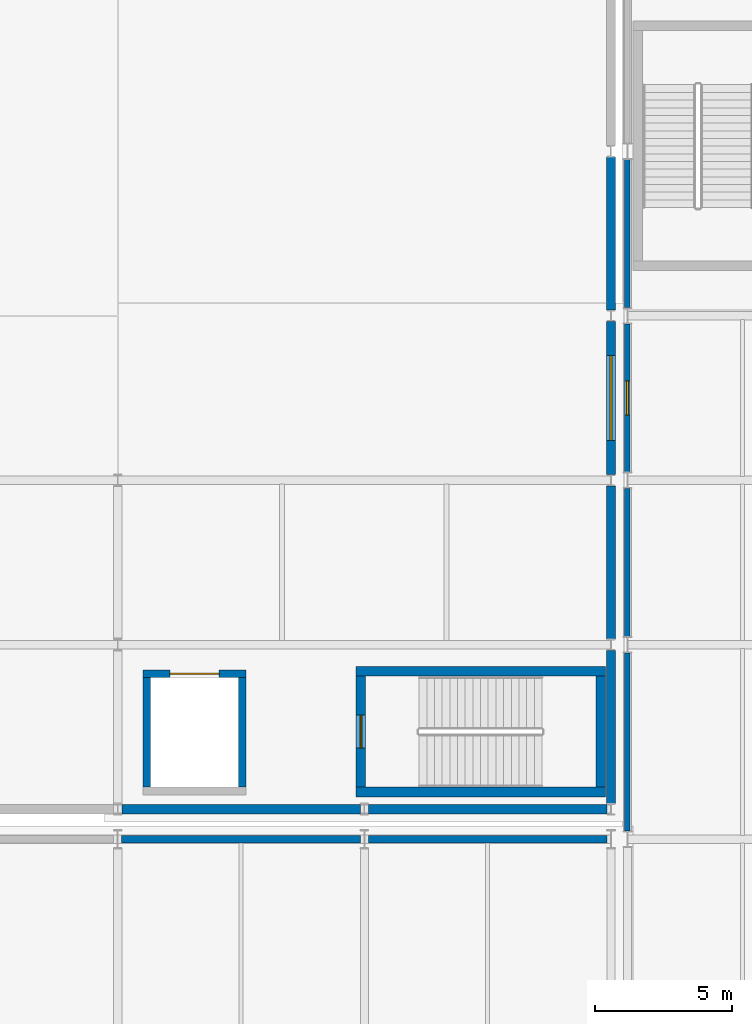
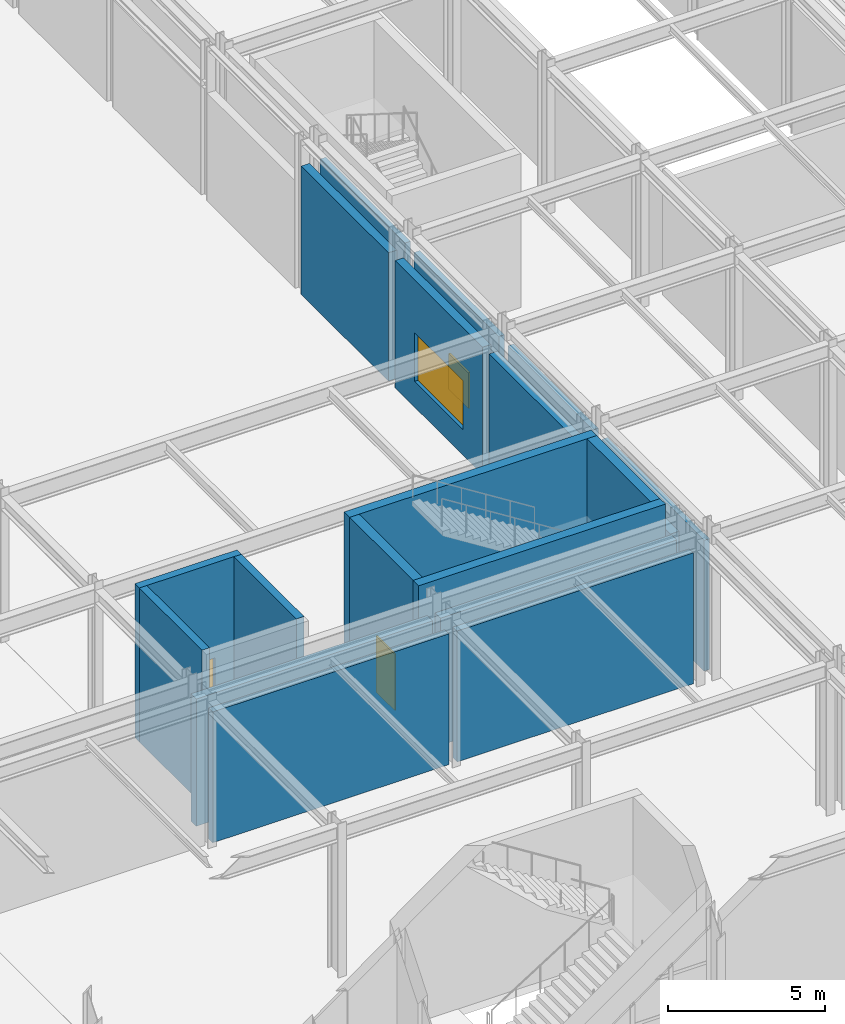
# One storey, part 121 of 146: 19 walls, 2 doors, 2 windows, 4 openings.
"""IFC4 building model written with IfcOpenShell, lengths in metres."""

from ifc_helpers import new_model, si_unit, direction, frame, frame_2d, origin, place, context, subcontext, project, spatial, rectangle, extrude, material, layer, layer_set, type_object, element, fill, save


model = new_model("IFC4")

# Units and contexts
model_context = context("Model", 3, precision=1e-05, world=origin(), true_north=direction((0.0, 1.0)))
body_context = subcontext(model_context, "Body", "Model", "MODEL_VIEW")
ifc_project = project(units=[si_unit("LENGTHUNIT", "METRE"), si_unit("AREAUNIT", "SQUARE_METRE"), si_unit("VOLUMEUNIT", "CUBIC_METRE"), si_unit("PLANEANGLEUNIT", "RADIAN"), si_unit("MASSUNIT", "GRAM", prefix="KILO")], contexts=[model_context])

# Site, building, storey
site_placement = place(None, origin())
site = spatial("IfcSite", under=ifc_project, at=site_placement, CompositionType="ELEMENT")
building_placement = place(site_placement, origin())
building = spatial("IfcBuilding", under=site, at=building_placement, Name="Kaldris Quays Convention Centre", CompositionType="ELEMENT")
storey_placement = place(building_placement, origin())
storey = spatial("IfcBuildingStorey", under=building, at=storey_placement, Name="L00", CompositionType="ELEMENT", Elevation=0.0)

# Walls
ifc_material_1 = material(Name="Concrete C35/45", Category="concrete")
ifc_layer_1 = layer(ifc_material_1, 0.344970703125)
ifc_layer_set_1 = layer_set([ifc_layer_1], Name="Concrete C35/45")
wall_type_1 = type_object("IfcWallType", Name="EXTERIOR WALL EW01", PredefinedType="STANDARD", material=ifc_layer_set_1)
for number, where, z_axis, x_axis, name in (
    (1, (128.1494140625, 56.0, 0.0), (0.0, 0.0, 1.0), (1.0, 0.0, 0.0), "L00 Exterior Wall EW01 37"),
    (2, (137.1494140625, 56.0, 0.0), (0.0, 0.0, 1.0), (1.0, 0.0, 0.0), "L00 Exterior Wall EW01 40"),
):
    element("IfcWall", number, at=place(storey_placement, frame(where, z_axis=z_axis, x_axis=x_axis)), inside=storey, type_object=wall_type_1, Name=name, PredefinedType="STANDARD", context=body_context, shape_type="SweptSolid", body=[
        extrude(rectangle(XDim=8.701171875, YDim=0.344970703125, at=frame_2d((4.3505859375, 0.0))), origin(), (0.0, 0.0, 1.0), 4.9580078125),
    ])
ifc_layer_2 = layer(ifc_material_1, 0.31201171875)
ifc_layer_set_2 = layer_set([ifc_layer_2], Name="Concrete C35/45")
wall_type_2 = type_object("IfcWallType", Name="EXTERIOR WALL EW02", PredefinedType="STANDARD", material=ifc_layer_set_2)
for number, where, z_axis, x_axis, name in (
    (3, (146.0, 56.2119140625, 0.0), (0.0, 0.0, 1.0), (0.0, 1.0, 0.0), "L00 Exterior Wall EW02 44"),
    (4, (146.0, 62.2119140625, 0.0), (0.0, 0.0, 1.0), (0.0, 1.0, 0.0), "L00 Exterior Wall EW02 48"),
):
    element("IfcWall", number, at=place(storey_placement, frame(where, z_axis=z_axis, x_axis=x_axis)), inside=storey, type_object=wall_type_2, Name=name, PredefinedType="STANDARD", context=body_context, shape_type="SweptSolid", body=[
        extrude(rectangle(XDim=5.576171875, YDim=0.31201171875, at=frame_2d((2.7880859375, 0.0))), origin(), (0.0, 0.0, 1.0), 4.9580078125),
    ])

# Wall, opening, window
wall_1_placement = place(storey_placement, frame((146.0, 68.2119140625, 0.0), z_axis=(0.0, 0.0, 1.0), x_axis=(0.0, 1.0, 0.0)))
wall_1 = element("IfcWall", 5, at=wall_1_placement, inside=storey, type_object=wall_type_2, Name="L00 Exterior Wall EW02 51", PredefinedType="STANDARD", context=body_context, shape_type="SweptSolid", body=[
    extrude(rectangle(XDim=5.576171875, YDim=0.31201171875, at=frame_2d((2.7880859375, 0.0))), origin(), (0.0, 0.0, 1.0), 4.9580078125),
])
opening_1_placement = place(wall_1_placement, frame((1.238037109375, 0.0, 1.0)))
opening_1 = element("IfcOpeningElement", 6, at=opening_1_placement, cuts=wall_1, Name="Opening WN33", PredefinedType="OPENING", context=body_context, shape_type="SweptSolid", body=[
    extrude(rectangle(XDim=3.10009765625, YDim=1.89990234375, at=frame_2d((1.550048828125, 0.949951171875))), frame((0.0, 0.166015625, 0.0), z_axis=(0.0, -1.0, 0.0), x_axis=(1.0, 0.0, 0.0)), (0.0, 0.0, 1.0), 0.33203125),
])
ifc_material_2 = material(Name="Triple low-E insulated glazing", Category="glass")
window_type_1 = type_object("IfcWindowType", Name="TRIPLE GLAZED WINDOW WN33", PartitioningType="SINGLE_PANEL", PredefinedType="WINDOW", material=ifc_material_2)
window_1_placement = place(opening_1_placement, origin())
window_1 = element("IfcWindow", 7, at=window_1_placement, inside=storey, type_object=window_type_1, Name="L00 Exterior Window WN33 16", OverallHeight=1.89990234375, OverallWidth=3.10009765625, PartitioningType="SINGLE_PANEL", PredefinedType="WINDOW", context=body_context, shape_type="SweptSolid", body=[
    extrude(rectangle(XDim=3.10009765625, YDim=1.89990234375, at=frame_2d((1.550048828125, 0.949951171875))), frame((0.0, 0.030029296875, 0.0), z_axis=(0.0, -1.0, 0.0), x_axis=(1.0, 0.0, 0.0)), (0.0, 0.0, 1.0), 0.06005859375),
])
fill(opening_1, window_1)

# Walls
wall_2_placement = place(storey_placement, frame((146.0, 74.2119140625, 0.0), z_axis=(0.0, 0.0, 1.0), x_axis=(0.0, 1.0, 0.0)))
element("IfcWall", 8, at=wall_2_placement, inside=storey, type_object=wall_type_2, Name="L00 Exterior Wall EW02 55", PredefinedType="STANDARD", context=body_context, shape_type="SweptSolid", body=[
    extrude(rectangle(XDim=5.576171875, YDim=0.31201171875, at=frame_2d((2.7880859375, 0.0))), origin(), (0.0, 0.0, 1.0), 5.0),
])
ifc_material_3 = material(Name="Precast concrete C40/50", Category="concrete")
ifc_layer_3 = layer(ifc_material_3, 0.263916015625)
ifc_layer_set_3 = layer_set([ifc_layer_3], Name="Precast concrete C40/50")
wall_type_3 = type_object("IfcWallType", Name="EXTERIOR WALL EW04", PredefinedType="STANDARD", material=ifc_layer_set_3)
for number, where, z_axis, x_axis, name in (
    (9, (128.14599609375, 54.89990234375, 0.0), (0.0, 0.0, 1.0), (1.0, 0.0, 0.0), "L00 Exterior Wall EW04 235"),
    (10, (137.14599609375, 54.89990234375, 0.0), (0.0, 0.0, 1.0), (1.0, 0.0, 0.0), "L00 Exterior Wall EW04 237"),
):
    element("IfcWall", number, at=place(storey_placement, frame(where, z_axis=z_axis, x_axis=x_axis)), inside=storey, type_object=wall_type_3, Name=name, PredefinedType="STANDARD", context=body_context, shape_type="SweptSolid", body=[
        extrude(rectangle(XDim=8.7080078125, YDim=0.263916015625, at=frame_2d((4.35400390625, 0.0))), origin(), (0.0, 0.0, 1.0), 5.097900390625),
    ])
ifc_material_4 = material(Name="Anodized aluminium insulated cassette", Category="aluminium")
ifc_layer_4 = layer(ifc_material_4, 0.201904296875)
ifc_layer_set_4 = layer_set([ifc_layer_4], Name="Anodized aluminium insulated cassette")
wall_type_4 = type_object("IfcWallType", Name="EXTERIOR WALL EW07", PredefinedType="STANDARD", material=ifc_layer_set_4)
wall_3_placement = place(storey_placement, frame((146.60009765625, 55.196044921875, 0.0), z_axis=(0.0, 0.0, 1.0), x_axis=(0.0, 1.0, 0.0)))
element("IfcWall", 11, at=wall_3_placement, inside=storey, type_object=wall_type_4, Name="L00 Exterior Wall EW07 270", PredefinedType="STANDARD", context=body_context, shape_type="SweptSolid", body=[
    extrude(rectangle(XDim=6.508056640625, YDim=0.201904296875, at=frame_2d((3.25390625, 0.0))), origin(), (0.0, 0.0, 1.0), 5.097900390625),
])
wall_4_placement = place(storey_placement, frame((146.60009765625, 62.2958984375, 0.0), z_axis=(0.0, 0.0, 1.0), x_axis=(0.0, 1.0, 0.0)))
element("IfcWall", 12, at=wall_4_placement, inside=storey, type_object=wall_type_4, Name="L00 Exterior Wall EW07 272", PredefinedType="STANDARD", context=body_context, shape_type="SweptSolid", body=[
    extrude(rectangle(XDim=5.408203125, YDim=0.201904296875, at=frame_2d((2.7041015625, 0.0))), origin(), (0.0, 0.0, 1.0), 5.097900390625),
])

# Wall, opening, window
wall_5_placement = place(storey_placement, frame((146.60009765625, 68.2958984375, 0.0), z_axis=(0.0, 0.0, 1.0), x_axis=(0.0, 1.0, 0.0)))
wall_5 = element("IfcWall", 13, at=wall_5_placement, inside=storey, type_object=wall_type_4, Name="L00 Exterior Wall EW07 274", PredefinedType="STANDARD", context=body_context, shape_type="SweptSolid", body=[
    extrude(rectangle(XDim=5.408203125, YDim=0.201904296875, at=frame_2d((2.7041015625, 0.0))), origin(), (0.0, 0.0, 1.0), 5.097900390625),
])
opening_2_placement = place(wall_5_placement, frame((2.0791015625, 0.0, 1.0)))
opening_2 = element("IfcOpeningElement", 14, at=opening_2_placement, cuts=wall_5, Name="Opening WN29", PredefinedType="OPENING", context=body_context, shape_type="SweptSolid", body=[
    extrude(rectangle(XDim=1.25, YDim=1.39990234375, at=frame_2d((0.625, 0.699951171875))), frame((0.0, 0.11083984375, 0.0), z_axis=(0.0, -1.0, 0.0), x_axis=(1.0, 0.0, 0.0)), (0.0, 0.0, 1.0), 0.221923828125),
])
window_type_2 = type_object("IfcWindowType", Name="TRIPLE GLAZED WINDOW WN29", PartitioningType="SINGLE_PANEL", PredefinedType="WINDOW", material=ifc_material_2)
window_2_placement = place(opening_2_placement, origin())
window_2 = element("IfcWindow", 15, at=window_2_placement, inside=storey, type_object=window_type_2, Name="L00 Exterior Window WN29 86", OverallHeight=1.39990234375, OverallWidth=1.25, PartitioningType="SINGLE_PANEL", PredefinedType="WINDOW", context=body_context, shape_type="SweptSolid", body=[
    extrude(rectangle(XDim=1.25, YDim=1.39990234375, at=frame_2d((0.625, 0.699951171875))), frame((0.0, 0.030029296875, 0.0), z_axis=(0.0, -1.0, 0.0), x_axis=(1.0, 0.0, 0.0)), (0.0, 0.0, 1.0), 0.06005859375),
])
fill(opening_2, window_2)

# Walls
wall_6_placement = place(storey_placement, frame((146.60009765625, 74.2958984375, 0.0), z_axis=(0.0, 0.0, 1.0), x_axis=(0.0, 1.0, 0.0)))
element("IfcWall", 16, at=wall_6_placement, inside=storey, type_object=wall_type_4, Name="L00 Exterior Wall EW07 276", PredefinedType="STANDARD", context=body_context, shape_type="SweptSolid", body=[
    extrude(rectangle(XDim=5.408203125, YDim=0.201904296875, at=frame_2d((2.7041015625, 0.0))), origin(), (0.0, 0.0, 1.0), 5.097900390625),
])
ifc_material_5 = material(Name="Concrete C40/50", Category="concrete")
ifc_layer_5 = layer(ifc_material_5, 0.35009765625)
ifc_layer_set_5 = layer_set([ifc_layer_5], Name="Concrete C40/50")
wall_type_5 = type_object("IfcWallType", Name="STRUCTURAL WALL SW01", PredefinedType="SHEAR", material=ifc_layer_set_5)
for number, where, z_axis, x_axis, name in (
    (17, (136.699951171875, 56.625, 0.0), (0.0, 0.0, 1.0), (1.0, 0.0, 0.0), "L00 Core Shear Wall CORE-ST02-L00-S"),
    (18, (136.699951171875, 61.02490234375, 0.0), (0.0, 0.0, 1.0), (1.0, 0.0, 0.0), "L00 Core Shear Wall CORE-ST02-L00-N"),
):
    element("IfcWall", number, at=place(storey_placement, frame(where, z_axis=z_axis, x_axis=x_axis)), inside=storey, type_object=wall_type_5, Name=name, PredefinedType="SHEAR", context=body_context, shape_type="SweptSolid", body=[
        extrude(rectangle(XDim=9.10009765625, YDim=0.35009765625, at=frame_2d((4.550048828125, 0.0))), origin(), (0.0, 0.0, 1.0), 6.0),
    ])

# Wall, opening, door
wall_7_placement = place(storey_placement, frame((136.875, 56.800048828125, 0.0), z_axis=(0.0, 0.0, 1.0), x_axis=(0.0, 1.0, 0.0)))
wall_7 = element("IfcWall", 19, at=wall_7_placement, inside=storey, type_object=wall_type_5, Name="L00 Core Shear Wall CORE-ST02-L00-W", PredefinedType="SHEAR", context=body_context, shape_type="SweptSolid", body=[
    extrude(rectangle(XDim=4.050048828125, YDim=0.35009765625, at=frame_2d((2.02490234375, 0.0))), origin(), (0.0, 0.0, 1.0), 6.0),
])
opening_3_placement = place(wall_7_placement, frame((1.425048828125, 0.0, 0.0)))
opening_3 = element("IfcOpeningElement", 20, at=opening_3_placement, cuts=wall_7, Name="Opening ID03", PredefinedType="OPENING", context=body_context, shape_type="SweptSolid", body=[
    extrude(rectangle(XDim=1.199951171875, YDim=2.199951171875, at=frame_2d((0.60009765625, 1.10009765625))), frame((0.0, 0.18505859375, 0.0), z_axis=(0.0, -1.0, 0.0), x_axis=(1.0, 0.0, 0.0)), (0.0, 0.0, 1.0), 0.3701171875),
])
ifc_material_6 = material(Name="Steel S355J2 fire-resisting door", Category="steel")
door_type_1 = type_object("IfcDoorType", Name="INTERIOR DOOR ID03", OperationType="NOTDEFINED", PredefinedType="DOOR", material=ifc_material_6)
door_1_placement = place(opening_3_placement, origin())
door_1 = element("IfcDoor", 21, at=door_1_placement, inside=storey, type_object=door_type_1, Name="L00 Escape Stair ST02 Fire Door", OperationType="SINGLE_SWING_LEFT", OverallHeight=2.199951171875, OverallWidth=1.199951171875, PredefinedType="DOOR", context=body_context, shape_type="SweptSolid", body=[
    extrude(rectangle(XDim=1.199951171875, YDim=2.199951171875, at=frame_2d((0.60009765625, 1.10009765625))), frame((0.0, 0.02490234375, 0.0), z_axis=(0.0, -1.0, 0.0), x_axis=(1.0, 0.0, 0.0)), (0.0, 0.0, 1.0), 0.050048828125),
])
fill(opening_3, door_1)

# Wall
wall_8_placement = place(storey_placement, frame((145.625, 56.800048828125, 0.0), z_axis=(0.0, 0.0, 1.0), x_axis=(0.0, 1.0, 0.0)))
element("IfcWall", 22, at=wall_8_placement, inside=storey, type_object=wall_type_5, Name="L00 Core Shear Wall CORE-ST02-L00-E", PredefinedType="SHEAR", context=body_context, shape_type="SweptSolid", body=[
    extrude(rectangle(XDim=4.050048828125, YDim=0.35009765625, at=frame_2d((2.02490234375, 0.0))), origin(), (0.0, 0.0, 1.0), 6.0),
])

# Wall, opening, door
ifc_layer_6 = layer(ifc_material_5, 0.280029296875)
ifc_layer_set_6 = layer_set([ifc_layer_6], Name="Concrete C40/50")
wall_type_6 = type_object("IfcWallType", Name="STRUCTURAL WALL SW03", PredefinedType="SHEAR", material=ifc_layer_set_6)
wall_9_placement = place(storey_placement, frame((128.919921875, 60.93994140625, 0.0), z_axis=(0.0, 0.0, 1.0), x_axis=(1.0, 0.0, 0.0)))
wall_9 = element("IfcWall", 23, at=wall_9_placement, inside=storey, type_object=wall_type_6, Name="L00 Core Shear Wall LSHAFT-GL01-L00-N", PredefinedType="SHEAR", context=body_context, shape_type="SweptSolid", body=[
    extrude(rectangle(XDim=3.760009765625, YDim=0.280029296875, at=frame_2d((1.8798828125, 0.0))), origin(), (0.0, 0.0, 1.0), 6.0),
])
opening_4_placement = place(wall_9_placement, frame((0.97998046875, 0.0, 0.0)))
opening_4 = element("IfcOpeningElement", 24, at=opening_4_placement, cuts=wall_9, Name="Opening LD02", PredefinedType="OPENING", context=body_context, shape_type="SweptSolid", body=[
    extrude(rectangle(XDim=1.800048828125, YDim=2.300048828125, at=frame_2d((0.89990234375, 1.14990234375))), frame((0.0, 0.14990234375, 0.0), z_axis=(0.0, -1.0, 0.0), x_axis=(1.0, 0.0, 0.0)), (0.0, 0.0, 1.0), 0.300048828125),
])
ifc_material_7 = material(Name="Stainless steel 1.4301 freight lift landing door", Category="steel")
door_type_2 = type_object("IfcDoorType", Name="INTERIOR DOOR LD02", OperationType="DOUBLE_DOOR_SLIDING", PredefinedType="DOOR", material=ifc_material_7)
door_2_placement = place(opening_4_placement, origin())
door_2 = element("IfcDoor", 25, at=door_2_placement, inside=storey, type_object=door_type_2, Name="L00 GL01 Sliding Lift Landing Door", OperationType="DOUBLE_DOOR_SLIDING", OverallHeight=2.300048828125, OverallWidth=1.800048828125, PredefinedType="DOOR", context=body_context, shape_type="SweptSolid", body=[
    extrude(rectangle(XDim=1.800048828125, YDim=2.300048828125, at=frame_2d((0.89990234375, 1.14990234375))), frame((0.0, 0.02490234375, 0.0), z_axis=(0.0, -1.0, 0.0), x_axis=(1.0, 0.0, 0.0)), (0.0, 0.0, 1.0), 0.050048828125),
])
fill(opening_4, door_2)

# Walls
for number, where, z_axis, x_axis, name in (
    (26, (129.06005859375, 56.800048828125, 0.0), (0.0, 0.0, 1.0), (0.0, 1.0, 0.0), "L00 Core Shear Wall LSHAFT-GL01-L00-W"),
    (27, (132.5400390625, 56.800048828125, 0.0), (0.0, 0.0, 1.0), (0.0, 1.0, 0.0), "L00 Core Shear Wall LSHAFT-GL01-L00-E"),
):
    element("IfcWall", number, at=place(storey_placement, frame(where, z_axis=z_axis, x_axis=x_axis)), inside=storey, type_object=wall_type_6, Name=name, PredefinedType="SHEAR", context=body_context, shape_type="SweptSolid", body=[
        extrude(rectangle(XDim=4.0, YDim=0.280029296875, at=frame_2d((2.0, 0.0))), origin(), (0.0, 0.0, 1.0), 6.0),
    ])

save(model, "model.ifc")
